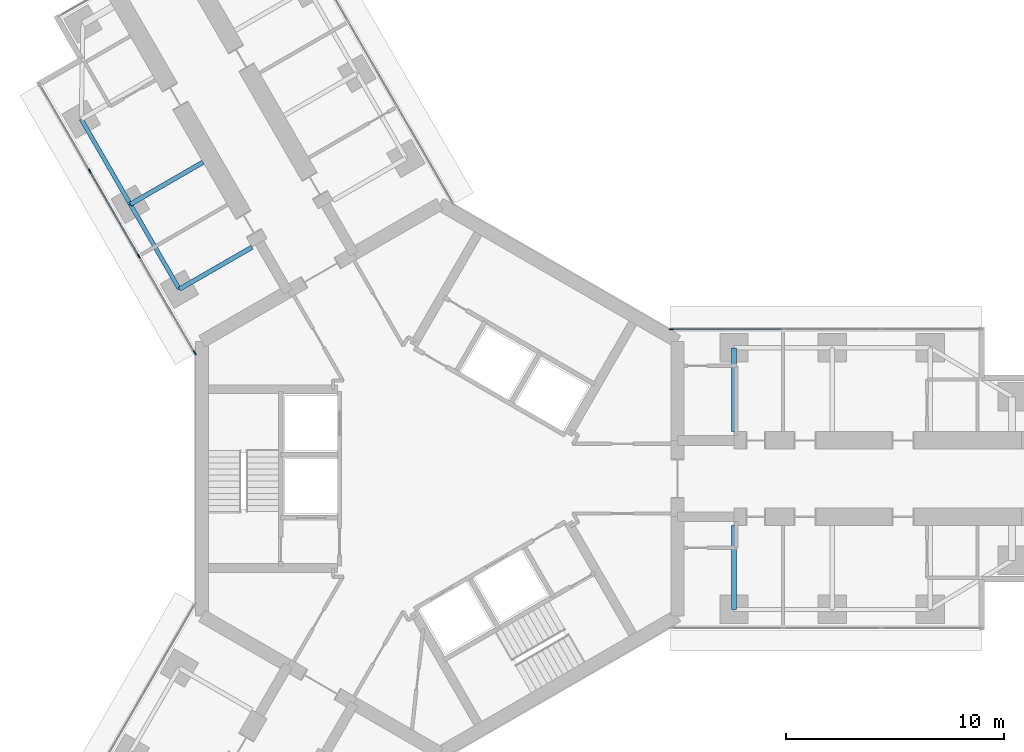
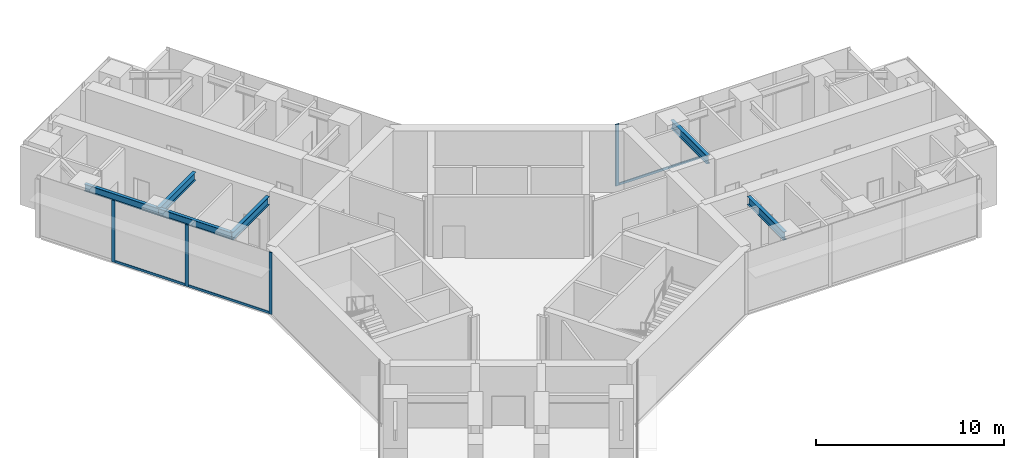
# One storey, part 5 of 22: 7 members, 6 beams, 2 elements without a shape of their own.
"""IFC4 building model written with IfcOpenShell, lengths in metres."""

from ifc_helpers import new_model, si_unit, direction, frame, origin, origin_2d, place, context, subcontext, project, spatial, rectangle, i_section, extrude, material, material_profile, profile_set, type_object, element, aggregate, save


model = new_model("IFC4")

# Units and contexts
model_context = context("Model", 3, precision=1e-05, world=origin(), true_north=direction((0.0, 1.0)))
body_context = subcontext(model_context, "Body", "Model", "MODEL_VIEW")
ifc_project = project(units=[si_unit("LENGTHUNIT", "METRE"), si_unit("AREAUNIT", "SQUARE_METRE"), si_unit("VOLUMEUNIT", "CUBIC_METRE"), si_unit("PLANEANGLEUNIT", "RADIAN"), si_unit("MASSUNIT", "GRAM", prefix="KILO")], contexts=[model_context])

# Site, building, storey
site_placement = place(None, origin())
site = spatial("IfcSite", under=ifc_project, at=site_placement, CompositionType="ELEMENT")
building_placement = place(site_placement, origin())
building = spatial("IfcBuilding", under=site, at=building_placement, Name="Upepo Twin Towers", CompositionType="ELEMENT")
storey_placement = place(building_placement, frame((0.0, 0.0, 125.5)))
storey = spatial("IfcBuildingStorey", under=building, at=storey_placement, Name="L30", CompositionType="ELEMENT", Elevation=125.5)

# Beams
ifc_material_1 = material(Name="Steel S355", Category="steel")
ifc_material_profile_1 = material_profile(ifc_material_1, i_section(OverallWidth=0.1904296875, OverallDepth=0.45703125, WebThickness=0.009033203125, FlangeThickness=0.014404296875, FilletRadius=0.01025390625, at=origin_2d()), Name="UB 457x191x74")
ifc_profile_set_1 = profile_set([ifc_material_profile_1], Name="Steel S355")
beam_type_1 = type_object("IfcBeamType", Name="Beam UB 457x191x74", PredefinedType="BEAM", material=ifc_profile_set_1)
beam_1_placement = place(storey_placement, frame((-11.946044921875, 8.69140625, 3.571533203125), z_axis=(-0.500013631625, 0.866017533419, 0.0), x_axis=(-0.866017533419, -0.500013631625, 0.0)))
element("IfcBeam", 1, at=beam_1_placement, inside=storey, type_object=beam_type_1, Name="T1 edge beam BL 13.5-18.0", PredefinedType="BEAM", context=body_context, shape_type="SweptSolid", body=[
    extrude(i_section(OverallWidth=0.1904296875, OverallDepth=0.45703125, WebThickness=0.009033203125, FlangeThickness=0.014404296875, FilletRadius=0.01025390625, at=origin_2d()), origin(), (0.0, 0.0, 1.0), 4.499755859375),
])
beam_2_placement = place(storey_placement, frame((-14.196044921875, 12.58837890625, 3.571533203125), z_axis=(-0.499990139034, 0.866031096941, 0.0), x_axis=(-0.866031096941, -0.499990139034, 0.0)))
element("IfcBeam", 2, at=beam_2_placement, inside=storey, type_object=beam_type_1, Name="T1 edge beam BL 18.0-22.5", PredefinedType="BEAM", context=body_context, shape_type="SweptSolid", body=[
    extrude(i_section(OverallWidth=0.1904296875, OverallDepth=0.45703125, WebThickness=0.009033203125, FlangeThickness=0.014404296875, FilletRadius=0.01025390625, at=origin_2d()), origin(), (0.0, 0.0, 1.0), 4.5),
])
ifc_material_2 = material(Name="Steel S355", Category="steel")
ifc_material_profile_2 = material_profile(ifc_material_2, i_section(OverallWidth=0.209228515625, OverallDepth=0.533203125, WebThickness=0.010009765625, FlangeThickness=0.015625, FilletRadius=0.0126953125, at=origin_2d()), Name="UB 533x210x92")
ifc_profile_set_2 = profile_set([ifc_material_profile_2], Name="Steel S355")
beam_type_2 = type_object("IfcBeamType", Name="Beam UB 533x210x92", PredefinedType="BEAM", material=ifc_profile_set_2)
for number, where, z_axis, x_axis, name in (
    (3, (13.5, 6.0, 3.533447265625), (0.0, -1.0, 0.0), (1.0, 0.0, 0.0), "T1 girder AL at 13.5"),
    (4, (13.5, -6.0, 3.533447265625), (0.0, 1.0, 0.0), (-1.0, 0.0, 0.0), "T1 girder AR at 13.5"),
):
    element("IfcBeam", number, at=place(storey_placement, frame(where, z_axis=z_axis, x_axis=x_axis)), inside=storey, type_object=beam_type_2, Name=name, PredefinedType="BEAM", context=body_context, shape_type="SweptSolid", body=[
        extrude(i_section(OverallWidth=0.209228515625, OverallDepth=0.533203125, WebThickness=0.010009765625, FlangeThickness=0.015625, FilletRadius=0.0126953125, at=origin_2d()), origin(), (0.0, 0.0, 1.0), 3.85009765625),
    ])
for number, where, z_axis, x_axis, name in (
    (5, (-11.946044921875, 8.69140625, 3.533447265625), (0.866006051527, 0.500033517596, 0.0), (-0.500033517596, 0.866006051527, 0.0), "T1 girder BL at 13.5"),
    (6, (-14.196044921875, 12.58837890625, 3.533447265625), (0.866006051527, 0.500033517596, 0.0), (-0.500033517596, 0.866006051527, 0.0), "T1 girder BL at 18.0"),
):
    element("IfcBeam", number, at=place(storey_placement, frame(where, z_axis=z_axis, x_axis=x_axis)), inside=storey, type_object=beam_type_2, Name=name, PredefinedType="BEAM", context=body_context, shape_type="SweptSolid", body=[
        extrude(i_section(OverallWidth=0.209228515625, OverallDepth=0.533203125, WebThickness=0.010009765625, FlangeThickness=0.015625, FilletRadius=0.0126953125, at=origin_2d()), origin(), (0.0, 0.0, 1.0), 3.849853515625),
    ])

# Curtain wall, member
ifc_material_3 = material(Name="Aluminium and fritted glass", Category="aluminium")
curtain_wall_type = type_object("IfcCurtainWallType", Name="Tower curtain wall TW2, fritted glass", PredefinedType="NOTDEFINED", material=ifc_material_3)
curtain_wall_1_placement = place(storey_placement, origin())
curtain_wall_1 = element("IfcCurtainWall", 7, at=curtain_wall_1_placement, inside=storey, type_object=curtain_wall_type, Name="T1 L30 wing A flank L curtain wall", PredefinedType="NOTDEFINED")
ifc_material_4 = material(Name="Aluminium mullion", Category="aluminium")
ifc_material_profile_3 = material_profile(ifc_material_4, rectangle(XDim=0.06494140625, YDim=0.199951171875, at=origin_2d()), Name="MULLION 65x200")
ifc_profile_set_3 = profile_set([ifc_material_profile_3], Name="Aluminium mullion")
member_type_1 = type_object("IfcMemberType", Name="Mullion 65x200 TW2", PredefinedType="MULLION", material=ifc_profile_set_3)
member_1_placement = place(storey_placement, frame((10.61962890625, 6.85009765625, 0.0), z_axis=(0.0, 0.0, 1.0), x_axis=(0.0, 1.0, 0.0)))
member_1 = element("IfcMember", 8, at=member_1_placement, type_object=member_type_1, Name="T1 L30 wing A flank L curtain wall mullion 1", PredefinedType="MULLION", context=body_context, shape_type="SweptSolid", body=[
    extrude(rectangle(XDim=0.06494140625, YDim=0.199951171875, at=origin_2d()), origin(), (0.0, 0.0, 1.0), 4.0),
])

# Curtain wall, members
curtain_wall_2_placement = place(storey_placement, origin())
curtain_wall_2 = element("IfcCurtainWall", 9, at=curtain_wall_2_placement, inside=storey, type_object=curtain_wall_type, Name="T1 L30 wing B flank L curtain wall", PredefinedType="NOTDEFINED")
member_2_placement = place(storey_placement, frame((-11.2421875, 5.77197265625, 0.0), z_axis=(0.0, 0.0, 1.0), x_axis=(-0.866025397833, -0.500000010308, 0.0)))
member_2 = element("IfcMember", 10, at=member_2_placement, type_object=member_type_1, Name="T1 L30 wing B flank L curtain wall mullion 1", PredefinedType="MULLION", context=body_context, shape_type="SweptSolid", body=[
    extrude(rectangle(XDim=0.06494140625, YDim=0.199951171875, at=origin_2d()), origin(), (0.0, 0.0, 1.0), 4.0),
])
member_3_placement = place(storey_placement, frame((-13.807373046875, 10.21484375, 0.0), z_axis=(0.0, 0.0, 1.0), x_axis=(-0.866025397833, -0.500000010308, 0.0)))
member_3 = element("IfcMember", 11, at=member_3_placement, type_object=member_type_1, Name="T1 L30 wing B flank L curtain wall mullion 2", PredefinedType="MULLION", context=body_context, shape_type="SweptSolid", body=[
    extrude(rectangle(XDim=0.06494140625, YDim=0.199951171875, at=origin_2d()), origin(), (0.0, 0.0, 1.0), 4.0),
])
member_4_placement = place(storey_placement, frame((-16.057373046875, 14.112060546875, 0.0), z_axis=(0.0, 0.0, 1.0), x_axis=(-0.866025397833, -0.500000010308, 0.0)))
member_4 = element("IfcMember", 12, at=member_4_placement, type_object=member_type_1, Name="T1 L30 wing B flank L curtain wall mullion 3", PredefinedType="MULLION", context=body_context, shape_type="SweptSolid", body=[
    extrude(rectangle(XDim=0.06494140625, YDim=0.199951171875, at=origin_2d()), origin(), (0.0, 0.0, 1.0), 4.0),
])

# Member
ifc_material_5 = material(Name="Aluminium transom", Category="aluminium")
ifc_material_profile_4 = material_profile(ifc_material_5, rectangle(XDim=0.06494140625, YDim=0.14990234375, at=origin_2d()), Name="TRANSOM 65x150")
ifc_profile_set_4 = profile_set([ifc_material_profile_4], Name="Aluminium transom")
member_type_2 = type_object("IfcMemberType", Name="Transom 65x150 TW2", PredefinedType="USERDEFINED", material=ifc_profile_set_4)
member_5_placement = place(storey_placement, frame((10.652099609375, 6.85009765625, 0.074951171875), z_axis=(1.0, 0.0, 0.0), x_axis=(0.0, 1.0, 0.0)))
member_5 = element("IfcMember", 13, at=member_5_placement, type_object=member_type_2, Name="T1 L30 wing A flank L curtain wall transom 1", ObjectType="TRANSOM", PredefinedType="USERDEFINED", context=body_context, shape_type="SweptSolid", body=[
    extrude(rectangle(XDim=0.06494140625, YDim=0.14990234375, at=origin_2d()), origin(), (0.0, 0.0, 1.0), 5.0654296875),
])

aggregate(curtain_wall_1, [member_1, member_5])

member_6_placement = place(storey_placement, frame((-11.25830078125, 5.800048828125, 0.074951171875), z_axis=(-0.500006158363, 0.866021848223, 0.0), x_axis=(-0.866021848223, -0.500006158363, 0.0)))
member_6 = element("IfcMember", 14, at=member_6_placement, type_object=member_type_2, Name="T1 L30 wing B flank L curtain wall transom 1", ObjectType="TRANSOM", PredefinedType="USERDEFINED", context=body_context, shape_type="SweptSolid", body=[
    extrude(rectangle(XDim=0.06494140625, YDim=0.14990234375, at=origin_2d()), origin(), (0.0, 0.0, 1.0), 5.0654296875),
])

member_7_placement = place(storey_placement, frame((-13.823486328125, 10.2431640625, 0.074951171875), z_axis=(-0.500005184116, 0.866022410713, 0.0), x_axis=(-0.866022410713, -0.500005184116, 0.0)))
member_7 = element("IfcMember", 15, at=member_7_placement, type_object=member_type_2, Name="T1 L30 wing B flank L curtain wall transom 2", ObjectType="TRANSOM", PredefinedType="USERDEFINED", context=body_context, shape_type="SweptSolid", body=[
    extrude(rectangle(XDim=0.06494140625, YDim=0.14990234375, at=origin_2d()), origin(), (0.0, 0.0, 1.0), 4.43505859375),
])

aggregate(curtain_wall_2, [member_2, member_3, member_4, member_6, member_7])

save(model, "model.ifc")
